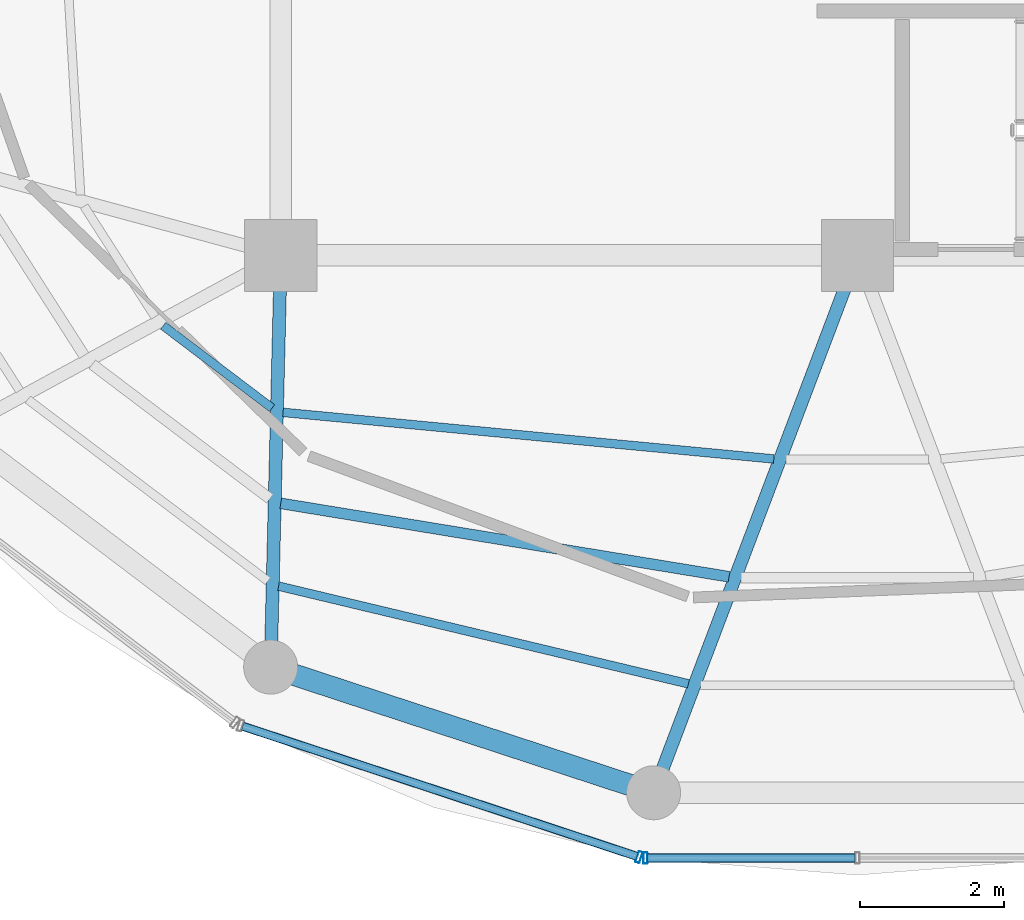
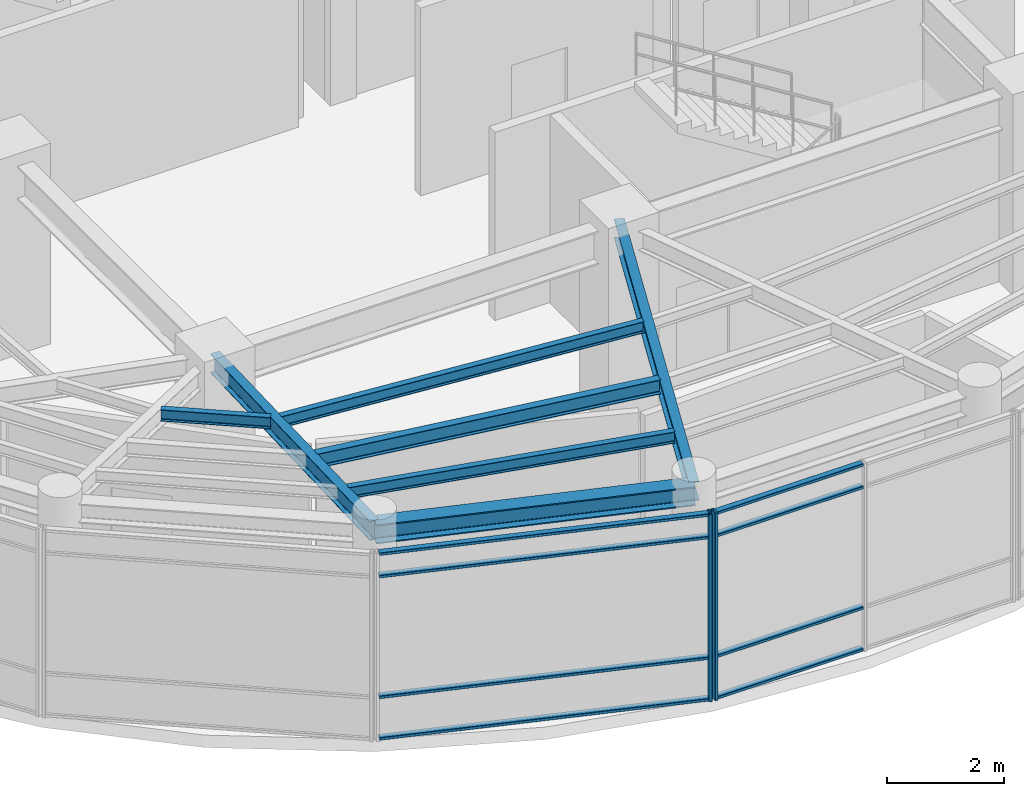
# One storey, part 3 of 19: 10 members, 7 beams, 2 elements without a shape of their own.
"""IFC4 building model written with IfcOpenShell, lengths in metres."""

from ifc_helpers import new_model, si_unit, direction, frame, origin, origin_2d, place, context, subcontext, project, spatial, hollow_rectangle, i_section, extrude, material, layer, layer_set, material_profile, profile_set, type_object, element, aggregate, save


model = new_model("IFC4")

# Units and contexts
model_context = context("Model", 3, precision=1e-05, world=origin(), true_north=direction((0.0, 1.0)))
body_context = subcontext(model_context, "Body", "Model", "MODEL_VIEW")
ifc_project = project(units=[si_unit("LENGTHUNIT", "METRE"), si_unit("AREAUNIT", "SQUARE_METRE"), si_unit("VOLUMEUNIT", "CUBIC_METRE"), si_unit("PLANEANGLEUNIT", "RADIAN"), si_unit("MASSUNIT", "GRAM", prefix="KILO")], contexts=[model_context])

# Site, building, storey
site_placement = place(None, origin())
site = spatial("IfcSite", under=ifc_project, at=site_placement, CompositionType="ELEMENT")
building_placement = place(site_placement, origin())
building = spatial("IfcBuilding", under=site, at=building_placement, Name="Kelanora Arch Commons", CompositionType="ELEMENT")
storey_placement = place(building_placement, frame((0.0, 0.0, 302.699951171875)))
storey = spatial("IfcBuildingStorey", under=building, at=storey_placement, Name="L77", CompositionType="ELEMENT", Elevation=302.699951171875)

# Beams
ifc_material_1 = material(Name="Steel S355", Category="steel")
ifc_material_profile_1 = material_profile(ifc_material_1, i_section(OverallWidth=0.14990234375, OverallDepth=0.300048828125, WebThickness=0.007080078125, FlangeThickness=0.0107421875, FilletRadius=0.014892578125, at=origin_2d()), Name="IPE300")
ifc_profile_set_1 = profile_set([ifc_material_profile_1], Name="Steel S355")
beam_type_1 = type_object("IfcBeamType", Name="BM-JST-01", PredefinedType="JOIST", material=ifc_profile_set_1)
beam_1_placement = place(storey_placement, frame((66.0, 47.558349609375, 3.7900390625), z_axis=(0.986849654094, -0.16164083709, 0.0), x_axis=(0.16164083709, 0.986849654094, 0.0)))
element("IfcBeam", 1, at=beam_1_placement, inside=storey, type_object=beam_type_1, Name="Secondary Chord Joist BJB-24 L77", PredefinedType="JOIST", context=body_context, shape_type="SweptSolid", body=[
    extrude(i_section(OverallWidth=0.14990234375, OverallDepth=0.300048828125, WebThickness=0.007080078125, FlangeThickness=0.0107421875, FilletRadius=0.014892578125, at=origin_2d()), origin(), (0.0, 0.0, 1.0), 6.302734375),
])
ifc_material_profile_2 = material_profile(ifc_material_1, i_section(OverallWidth=0.1201171875, OverallDepth=0.239990234375, WebThickness=0.006103515625, FlangeThickness=0.009765625, FilletRadius=0.014892578125, at=origin_2d()), Name="IPE240")
ifc_profile_set_2 = profile_set([ifc_material_profile_2], Name="Steel S355")
beam_type_2 = type_object("IfcBeamType", Name="BM-JST-02", PredefinedType="JOIST", material=ifc_profile_set_2)
beam_2_placement = place(storey_placement, frame((64.36865234375, 50.02294921875, 3.820068359375), z_axis=(0.797424826317, -0.603418301324, 0.0), x_axis=(0.603418301324, 0.797424826317, 0.0)))
element("IfcBeam", 2, at=beam_2_placement, inside=storey, type_object=beam_type_2, Name="Secondary Chord Joist BJA-22 L77", PredefinedType="JOIST", context=body_context, shape_type="SweptSolid", body=[
    extrude(i_section(OverallWidth=0.1201171875, OverallDepth=0.239990234375, WebThickness=0.006103515625, FlangeThickness=0.009765625, FilletRadius=0.014892578125, at=origin_2d()), origin(), (0.0, 0.0, 1.0), 1.893798828125),
])
beam_3_placement = place(storey_placement, frame((66.031494140625, 48.82080078125, 3.820068359375), z_axis=(0.995523661296, -0.094512643594, 0.0), x_axis=(0.094512643594, 0.995523661296, 0.0)))
element("IfcBeam", 3, at=beam_3_placement, inside=storey, type_object=beam_type_2, Name="Secondary Chord Joist BJA-24 L77", PredefinedType="JOIST", context=body_context, shape_type="SweptSolid", body=[
    extrude(i_section(OverallWidth=0.1201171875, OverallDepth=0.239990234375, WebThickness=0.006103515625, FlangeThickness=0.009765625, FilletRadius=0.014892578125, at=origin_2d()), origin(), (0.0, 0.0, 1.0), 6.840087890625),
])
beam_4_placement = place(storey_placement, frame((65.970703125, 46.40966796875, 3.820068359375), z_axis=(0.972733556605, -0.231925479098, 0.0), x_axis=(0.231925479098, 0.972733556605, 0.0)))
element("IfcBeam", 4, at=beam_4_placement, inside=storey, type_object=beam_type_2, Name="Secondary Chord Joist BJC-24 L77", PredefinedType="JOIST", context=body_context, shape_type="SweptSolid", body=[
    extrude(i_section(OverallWidth=0.1201171875, OverallDepth=0.239990234375, WebThickness=0.006103515625, FlangeThickness=0.009765625, FilletRadius=0.014892578125, at=origin_2d()), origin(), (0.0, 0.0, 1.0), 5.844482421875),
])
ifc_material_profile_3 = material_profile(ifc_material_1, i_section(OverallWidth=0.179931640625, OverallDepth=0.39990234375, WebThickness=0.008544921875, FlangeThickness=0.013427734375, FilletRadius=0.02099609375, at=origin_2d()), Name="IPE400")
ifc_profile_set_3 = profile_set([ifc_material_profile_3], Name="Steel S355")
beam_type_3 = type_object("IfcBeamType", Name="BM-RAD-Z5", PredefinedType="BEAM", material=ifc_profile_set_3)
beam_5_placement = place(storey_placement, frame((66.0, 51.0, 3.739990234375), z_axis=(-0.0244777504, -0.99970037498, 0.0), x_axis=(0.99970037498, -0.0244777504, 0.0)))
element("IfcBeam", 5, at=beam_5_placement, inside=storey, type_object=beam_type_3, Name="Radial Floor Girder BR-24 L77", PredefinedType="BEAM", context=body_context, shape_type="SweptSolid", body=[
    extrude(i_section(OverallWidth=0.179931640625, OverallDepth=0.39990234375, WebThickness=0.008544921875, FlangeThickness=0.013427734375, FilletRadius=0.02099609375, at=origin_2d()), origin(), (0.0, 0.0, 1.0), 5.715087890625),
])
beam_6_placement = place(storey_placement, frame((74.0, 51.0, 3.739990234375), z_axis=(-0.354476114465, -0.93506506954, 0.0), x_axis=(0.93506506954, -0.354476114465, 0.0)))
element("IfcBeam", 6, at=beam_6_placement, inside=storey, type_object=beam_type_3, Name="Radial Floor Girder BR-26 L77", PredefinedType="BEAM", context=body_context, shape_type="SweptSolid", body=[
    extrude(i_section(OverallWidth=0.179931640625, OverallDepth=0.39990234375, WebThickness=0.008544921875, FlangeThickness=0.013427734375, FilletRadius=0.02099609375, at=origin_2d()), origin(), (0.0, 0.0, 1.0), 7.974853515625),
])
ifc_material_profile_4 = material_profile(ifc_material_1, i_section(OverallWidth=0.300048828125, OverallDepth=0.39990234375, WebThickness=0.013427734375, FlangeThickness=0.02392578125, FilletRadius=0.027099609375, at=origin_2d()), Name="HEB400")
ifc_profile_set_4 = profile_set([ifc_material_profile_4], Name="Steel S355")
beam_type_4 = type_object("IfcBeamType", Name="BM-SPN-Z4", PredefinedType="SPANDREL", material=ifc_profile_set_4)
beam_7_placement = place(storey_placement, frame((65.860107421875, 45.28662109375, 3.739990234375), z_axis=(0.950140083071, -0.311823383572, 0.0), x_axis=(0.311823383572, 0.950140083071, 0.0)))
element("IfcBeam", 7, at=beam_7_placement, inside=storey, type_object=beam_type_4, Name="Perimeter Spandrel Beam BS-24 L77", PredefinedType="SPANDREL", context=body_context, shape_type="SweptSolid", body=[
    extrude(i_section(OverallWidth=0.300048828125, OverallDepth=0.39990234375, WebThickness=0.013427734375, FlangeThickness=0.02392578125, FilletRadius=0.027099609375, at=origin_2d()), origin(), (0.0, 0.0, 1.0), 5.591796875),
])

# Curtain wall, member
ifc_material_2 = material(Name="Terracotta ceramic-fritted low-E glass and aluminium", Category="masonry")
ifc_layer = layer(ifc_material_2, 0.14990234375)
ifc_layer_set = layer_set([ifc_layer], Name="Terracotta ceramic-fritted low-E glass and aluminium")
curtain_wall_type = type_object("IfcCurtainWallType", Name="CW-SYS-06", PredefinedType="NOTDEFINED", material=ifc_layer_set)
curtain_wall_1_placement = place(storey_placement, origin())
curtain_wall_1 = element("IfcCurtainWall", 8, at=curtain_wall_1_placement, inside=storey, type_object=curtain_wall_type, Name="Unitised Curtain Wall L77-B12", PredefinedType="NOTDEFINED")
ifc_material_3 = material(Name="Powder-coated aluminium terracotta", Category="masonry")
ifc_material_profile_5 = material_profile(ifc_material_3, hollow_rectangle(XDim=0.159912109375, YDim=0.06005859375, WallThickness=0.0048828125, InnerFilletRadius=0.0048828125, OuterFilletRadius=0.010009765625, at=origin_2d()), Name="CWM160x60")
ifc_profile_set_5 = profile_set([ifc_material_profile_5], Name="Powder-coated aluminium terracotta")
member_type_1 = type_object("IfcMemberType", Name="CWM-STD", PredefinedType="MULLION", material=ifc_profile_set_5)
member_1_placement = place(storey_placement, frame((70.970703125, 42.651123046875, 0.0), z_axis=(0.0, 0.0, 1.0), x_axis=(0.313466845323, 0.949599145368, 0.0)))
member_1 = element("IfcMember", 9, at=member_1_placement, type_object=member_type_1, Name="CW-06 mullion 2", PredefinedType="MULLION", context=body_context, shape_type="SweptSolid", body=[
    extrude(hollow_rectangle(XDim=0.159912109375, YDim=0.06005859375, WallThickness=0.0048828125, InnerFilletRadius=0.0048828125, OuterFilletRadius=0.010009765625, at=origin_2d()), origin(), (0.0, 0.0, 1.0), 3.925048828125),
])

curtain_wall_2_placement = place(storey_placement, origin())
curtain_wall_2 = element("IfcCurtainWall", 10, at=curtain_wall_2_placement, inside=storey, type_object=curtain_wall_type, Name="Unitised Curtain Wall L77-B13", PredefinedType="NOTDEFINED")
member_2_placement = place(storey_placement, frame((71.058349609375, 42.636962890625, 0.0), z_axis=(0.0, 0.0, 1.0), x_axis=(0.0, 1.0, 0.0)))
member_2 = element("IfcMember", 11, at=member_2_placement, type_object=member_type_1, Name="CW-06 mullion 1", PredefinedType="MULLION", context=body_context, shape_type="SweptSolid", body=[
    extrude(hollow_rectangle(XDim=0.159912109375, YDim=0.06005859375, WallThickness=0.0048828125, InnerFilletRadius=0.0048828125, OuterFilletRadius=0.010009765625, at=origin_2d()), origin(), (0.0, 0.0, 1.0), 3.925048828125),
])

# Member
ifc_material_profile_6 = material_profile(ifc_material_3, hollow_rectangle(XDim=0.1201171875, YDim=0.06005859375, WallThickness=0.0048828125, InnerFilletRadius=0.0048828125, OuterFilletRadius=0.010009765625, at=origin_2d()), Name="CWT120x60")
ifc_profile_set_6 = profile_set([ifc_material_profile_6], Name="Powder-coated aluminium terracotta")
member_type_2 = type_object("IfcMemberType", Name="CWT-STD", PredefinedType="USERDEFINED", material=ifc_profile_set_6)
member_3_placement = place(storey_placement, frame((65.47119140625, 44.466552734375, 0.030029296875), z_axis=(0.949590431956, -0.31349324002, 0.0), x_axis=(0.31349324002, 0.949590431956, 0.0)))
member_3 = element("IfcMember", 12, at=member_3_placement, type_object=member_type_2, Name="CW-06 transom 1.1", ObjectType="TRANSOM", PredefinedType="USERDEFINED", context=body_context, shape_type="SweptSolid", body=[
    extrude(hollow_rectangle(XDim=0.1201171875, YDim=0.06005859375, WallThickness=0.0048828125, InnerFilletRadius=0.0048828125, OuterFilletRadius=0.010009765625, at=origin_2d()), origin(), (0.0, 0.0, 1.0), 5.761474609375),
])

member_4_placement = place(storey_placement, frame((65.47119140625, 44.466552734375, 0.900146484375), z_axis=(0.949590431956, -0.31349324002, 0.0), x_axis=(0.31349324002, 0.949590431956, 0.0)))
member_4 = element("IfcMember", 13, at=member_4_placement, type_object=member_type_2, Name="CW-06 transom 1.2", ObjectType="TRANSOM", PredefinedType="USERDEFINED", context=body_context, shape_type="SweptSolid", body=[
    extrude(hollow_rectangle(XDim=0.1201171875, YDim=0.06005859375, WallThickness=0.0048828125, InnerFilletRadius=0.0048828125, OuterFilletRadius=0.010009765625, at=origin_2d()), origin(), (0.0, 0.0, 1.0), 5.761474609375),
])

member_5_placement = place(storey_placement, frame((65.47119140625, 44.466552734375, 3.425048828125), z_axis=(0.949590431956, -0.31349324002, 0.0), x_axis=(0.31349324002, 0.949590431956, 0.0)))
member_5 = element("IfcMember", 14, at=member_5_placement, type_object=member_type_2, Name="CW-06 transom 1.3", ObjectType="TRANSOM", PredefinedType="USERDEFINED", context=body_context, shape_type="SweptSolid", body=[
    extrude(hollow_rectangle(XDim=0.1201171875, YDim=0.06005859375, WallThickness=0.0048828125, InnerFilletRadius=0.0048828125, OuterFilletRadius=0.010009765625, at=origin_2d()), origin(), (0.0, 0.0, 1.0), 5.761474609375),
])

member_6_placement = place(storey_placement, frame((65.47119140625, 44.466552734375, 3.89501953125), z_axis=(0.949590431956, -0.31349324002, 0.0), x_axis=(0.31349324002, 0.949590431956, 0.0)))
member_6 = element("IfcMember", 15, at=member_6_placement, type_object=member_type_2, Name="CW-06 transom 1.4", ObjectType="TRANSOM", PredefinedType="USERDEFINED", context=body_context, shape_type="SweptSolid", body=[
    extrude(hollow_rectangle(XDim=0.1201171875, YDim=0.06005859375, WallThickness=0.0048828125, InnerFilletRadius=0.0048828125, OuterFilletRadius=0.010009765625, at=origin_2d()), origin(), (0.0, 0.0, 1.0), 5.761474609375),
])

aggregate(curtain_wall_1, [member_1, member_3, member_4, member_5, member_6])

member_7_placement = place(storey_placement, frame((71.08837890625, 42.636962890625, 0.030029296875), z_axis=(1.0, 0.0, 0.0), x_axis=(0.0, 1.0, 0.0)))
member_7 = element("IfcMember", 16, at=member_7_placement, type_object=member_type_2, Name="CW-06 transom 1.1", ObjectType="TRANSOM", PredefinedType="USERDEFINED", context=body_context, shape_type="SweptSolid", body=[
    extrude(hollow_rectangle(XDim=0.1201171875, YDim=0.06005859375, WallThickness=0.0048828125, InnerFilletRadius=0.0048828125, OuterFilletRadius=0.010009765625, at=origin_2d()), origin(), (0.0, 0.0, 1.0), 2.881591796875),
])

member_8_placement = place(storey_placement, frame((71.08837890625, 42.636962890625, 0.900146484375), z_axis=(1.0, 0.0, 0.0), x_axis=(0.0, 1.0, 0.0)))
member_8 = element("IfcMember", 17, at=member_8_placement, type_object=member_type_2, Name="CW-06 transom 1.2", ObjectType="TRANSOM", PredefinedType="USERDEFINED", context=body_context, shape_type="SweptSolid", body=[
    extrude(hollow_rectangle(XDim=0.1201171875, YDim=0.06005859375, WallThickness=0.0048828125, InnerFilletRadius=0.0048828125, OuterFilletRadius=0.010009765625, at=origin_2d()), origin(), (0.0, 0.0, 1.0), 2.881591796875),
])

member_9_placement = place(storey_placement, frame((71.08837890625, 42.636962890625, 3.425048828125), z_axis=(1.0, 0.0, 0.0), x_axis=(0.0, 1.0, 0.0)))
member_9 = element("IfcMember", 18, at=member_9_placement, type_object=member_type_2, Name="CW-06 transom 1.3", ObjectType="TRANSOM", PredefinedType="USERDEFINED", context=body_context, shape_type="SweptSolid", body=[
    extrude(hollow_rectangle(XDim=0.1201171875, YDim=0.06005859375, WallThickness=0.0048828125, InnerFilletRadius=0.0048828125, OuterFilletRadius=0.010009765625, at=origin_2d()), origin(), (0.0, 0.0, 1.0), 2.881591796875),
])

member_10_placement = place(storey_placement, frame((71.08837890625, 42.636962890625, 3.89501953125), z_axis=(1.0, 0.0, 0.0), x_axis=(0.0, 1.0, 0.0)))
member_10 = element("IfcMember", 19, at=member_10_placement, type_object=member_type_2, Name="CW-06 transom 1.4", ObjectType="TRANSOM", PredefinedType="USERDEFINED", context=body_context, shape_type="SweptSolid", body=[
    extrude(hollow_rectangle(XDim=0.1201171875, YDim=0.06005859375, WallThickness=0.0048828125, InnerFilletRadius=0.0048828125, OuterFilletRadius=0.010009765625, at=origin_2d()), origin(), (0.0, 0.0, 1.0), 2.881591796875),
])

aggregate(curtain_wall_2, [member_2, member_7, member_8, member_9, member_10])

save(model, "model.ifc")
